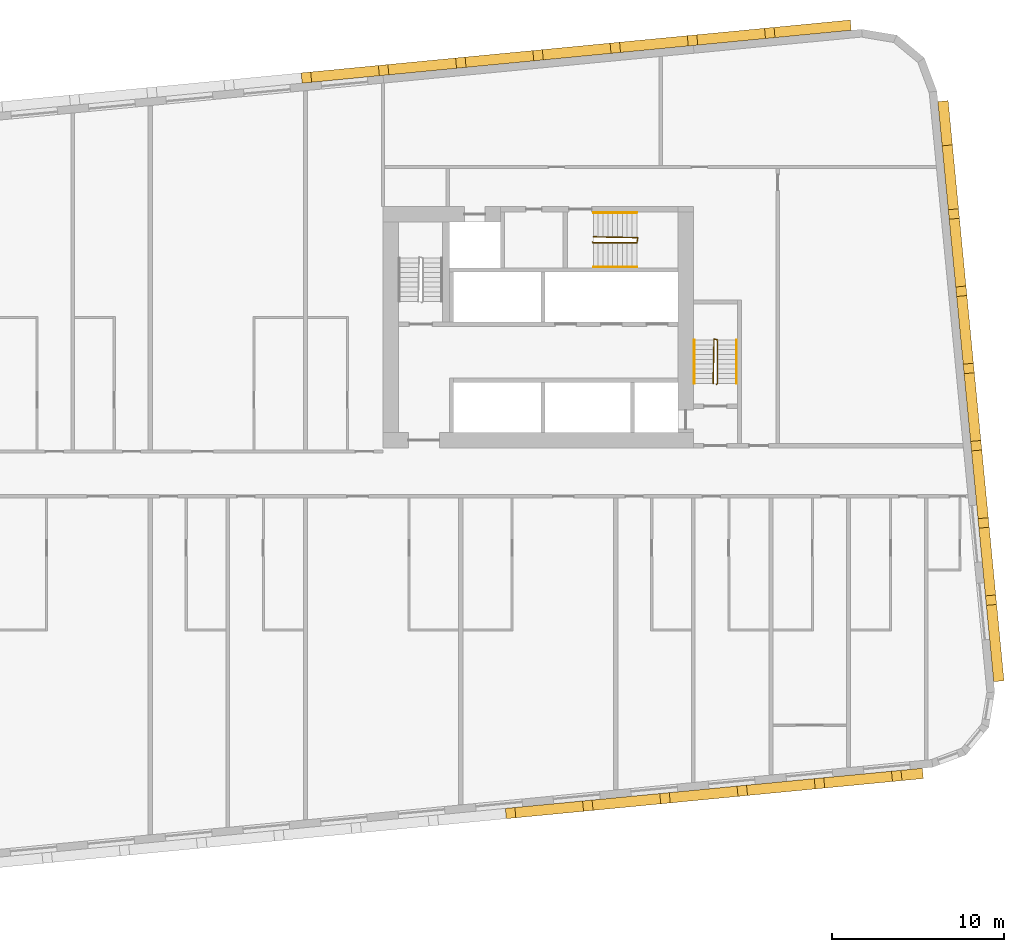
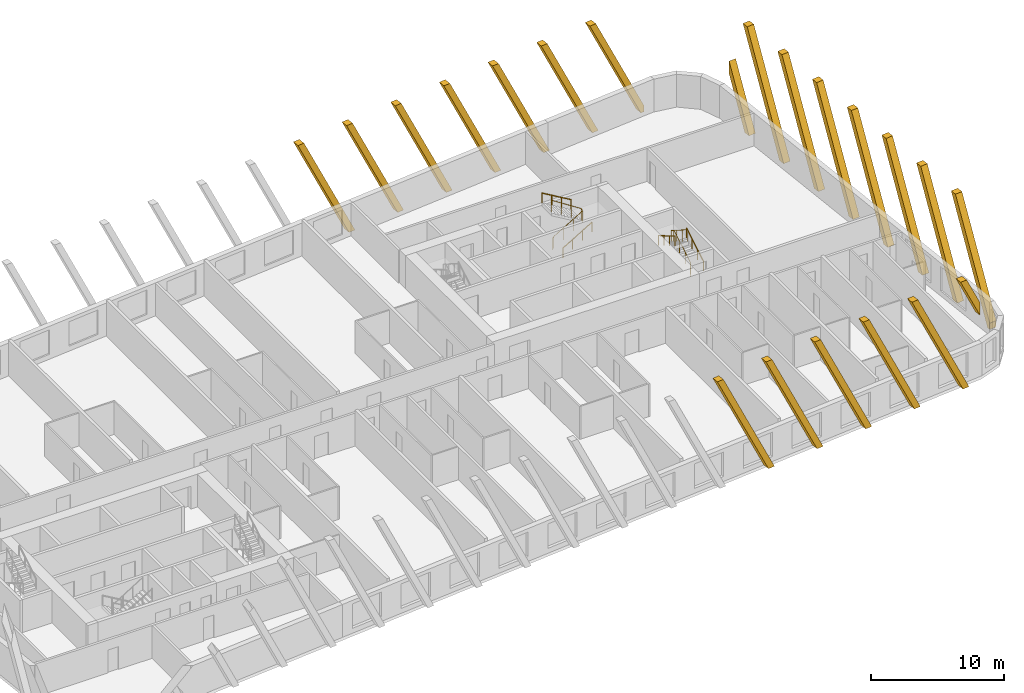
# One storey, part 13 of 13: 21 coverings, 6 railings.
"""IFC4 building model written with IfcOpenShell, lengths in metres."""

from ifc_helpers import new_model, si_unit, direction, frame, origin, origin_2d, place, context, subcontext, project, spatial, polyline, rectangle, circle, outline, extrude, material, material_profile, profile_set, type_object, element, save


model = new_model("IFC4")

# Units and contexts
model_context = context("Model", 3, precision=1e-05, world=origin(), true_north=direction((0.0, 1.0)))
body_context = subcontext(model_context, "Body", "Model", "MODEL_VIEW")
ifc_project = project(units=[si_unit("LENGTHUNIT", "METRE"), si_unit("AREAUNIT", "SQUARE_METRE"), si_unit("VOLUMEUNIT", "CUBIC_METRE"), si_unit("PLANEANGLEUNIT", "RADIAN"), si_unit("MASSUNIT", "GRAM", prefix="KILO")], contexts=[model_context])

# Site, building, storey
site_placement = place(None, origin())
site = spatial("IfcSite", under=ifc_project, at=site_placement, CompositionType="ELEMENT")
building_placement = place(site_placement, origin())
building = spatial("IfcBuilding", under=site, at=building_placement, Name="Kajstack Hotel Tower", CompositionType="ELEMENT")
storey_placement = place(building_placement, frame((0.0, 0.0, 130.60009765625)))
storey = spatial("IfcBuildingStorey", under=building, at=storey_placement, Name="L29", CompositionType="ELEMENT", Elevation=130.60009765625)

# Coverings
ifc_material_1 = material(Name="Terracotta", Category="masonry")
ifc_material_profile = material_profile(ifc_material_1, rectangle(XDim=0.60009765625, YDim=0.5, at=origin_2d()), Name="Terracotta-clad concrete baguette 500 x 600")
ifc_profile_set = profile_set([ifc_material_profile], Name="Terracotta")
covering_type = type_object("IfcCoveringType", Name="BAGUETTE 500x600", PredefinedType="CLADDING", material=ifc_profile_set)
for number, where, z_axis, x_axis, name in (
    (1, (20.594482421875, -19.401611328125, 0.0), (0.095634862357, -0.995416482233, 0.0), (0.995416482233, 0.095634862357, 0.0), "Baguette L29-04-050"),
    (2, (25.07373046875, -18.97021484375, 0.0), (0.095634862357, -0.995416482233, 0.0), (0.995416482233, 0.095634862357, 0.0), "Baguette L29-04-054"),
    (3, (29.552978515625, -18.5390625, 0.0), (0.095634862357, -0.995416482233, 0.0), (0.995416482233, 0.095634862357, 0.0), "Baguette L29-04-058"),
    (4, (34.0322265625, -18.107666015625, 0.0), (0.096038073607, -0.995377661201, 0.0), (0.995377661201, 0.096038073607, 0.0), "Baguette L29-04-062"),
):
    element("IfcCovering", number, at=place(storey_placement, frame(where, z_axis=z_axis, x_axis=x_axis)), inside=storey, type_object=covering_type, Name=name, PredefinedType="CLADDING", context=body_context, shape_type="SweptSolid", body=[
        extrude(outline(polyline([(0.0, 9.89990234375), (4.72216796875, 0.0), (5.276123046875, 0.0), (0.553955078125, 9.89990234375), (0.0, 9.89990234375)])), origin(), (0.0, 0.0, 1.0), 0.599853515625),
    ])
covering_1_placement = place(storey_placement, frame((38.511474609375, -17.67626953125, 0.0), z_axis=(0.095999188106, -0.995381412265, 0.0), x_axis=(0.995381412265, 0.095999188106, 0.0)))
element("IfcCovering", 5, at=covering_1_placement, inside=storey, type_object=covering_type, Name="Baguette L29-04-066", PredefinedType="CLADDING", context=body_context, shape_type="SweptSolid", body=[
    extrude(outline(polyline([(0.0, 9.89990234375), (4.72216796875, 0.0), (5.276123046875, 0.0), (0.553955078125, 9.89990234375), (0.0, 9.89990234375)])), origin(), (0.0, 0.0, 1.0), 0.60009765625),
])
covering_2_placement = place(storey_placement, frame((42.99072265625, -17.2451171875, 0.0), z_axis=(0.096038073607, -0.995377661201, 0.0), x_axis=(0.995377661201, 0.096038073607, 0.0)))
element("IfcCovering", 6, at=covering_2_placement, inside=storey, type_object=covering_type, Name="Baguette L29-04-070", PredefinedType="CLADDING", context=body_context, shape_type="SweptSolid", body=[
    extrude(outline(polyline([(0.0, 9.89990234375), (1.799072265625, 6.128173828125), (1.799072265625, 7.28955078125), (0.553955078125, 9.89990234375), (0.0, 9.89990234375)])), origin(), (0.0, 0.0, 1.0), 0.599853515625),
])
covering_3_placement = place(storey_placement, frame((48.91943359375, -12.052978515625, 0.0), z_axis=(0.995381412265, 0.095999188106, 0.0), x_axis=(-0.095999188106, 0.995381412265, 0.0)))
element("IfcCovering", 7, at=covering_3_placement, inside=storey, type_object=covering_type, Name="Baguette L29-08-002", PredefinedType="CLADDING", context=body_context, shape_type="SweptSolid", body=[
    extrude(outline(polyline([(4.445068359375, 9.89990234375), (0.0, 0.580810546875), (0.0, 0.0), (0.277099609375, 0.0), (4.9990234375, 9.89990234375), (4.445068359375, 9.89990234375)])), origin(), (0.0, 0.0, 1.0), 0.60009765625),
])
covering_4_placement = place(storey_placement, frame((48.5146484375, -7.849365234375, 0.0), z_axis=(0.995381412265, 0.095999188106, 0.0), x_axis=(-0.095999188106, 0.995381412265, 0.0)))
element("IfcCovering", 8, at=covering_4_placement, inside=storey, type_object=covering_type, Name="Baguette L29-08-006", PredefinedType="CLADDING", context=body_context, shape_type="SweptSolid", body=[
    extrude(outline(polyline([(4.72216796875, 9.89990234375), (0.0, 0.0), (0.553955078125, 0.0), (5.276123046875, 9.89990234375), (4.72216796875, 9.89990234375)])), origin(), (0.0, 0.0, 1.0), 0.60009765625),
])
for number, where, z_axis, x_axis, name in (
    (9, (48.08349609375, -3.369873046875, 0.0), (0.995416482233, 0.095634862357, 0.0), (-0.095634862357, 0.995416482233, 0.0), "Baguette L29-08-010"),
    (10, (47.652099609375, 1.109375, 0.0), (0.995416482233, 0.095634862357, 0.0), (-0.095634862357, 0.995416482233, 0.0), "Baguette L29-08-014"),
):
    element("IfcCovering", number, at=place(storey_placement, frame(where, z_axis=z_axis, x_axis=x_axis)), inside=storey, type_object=covering_type, Name=name, PredefinedType="CLADDING", context=body_context, shape_type="SweptSolid", body=[
        extrude(outline(polyline([(4.72216796875, 9.89990234375), (0.0, 0.0), (0.553955078125, 0.0), (5.276123046875, 9.89990234375), (4.72216796875, 9.89990234375)])), origin(), (0.0, 0.0, 1.0), 0.599853515625),
    ])
covering_5_placement = place(storey_placement, frame((47.220703125, 5.588623046875, 0.0), z_axis=(0.995420202011, 0.095596137095, 0.0), x_axis=(-0.095596137095, 0.995420202011, 0.0)))
element("IfcCovering", 11, at=covering_5_placement, inside=storey, type_object=covering_type, Name="Baguette L29-08-018", PredefinedType="CLADDING", context=body_context, shape_type="SweptSolid", body=[
    extrude(outline(polyline([(4.72216796875, 9.89990234375), (0.0, 0.0), (0.553955078125, 0.0), (5.276123046875, 9.89990234375), (4.72216796875, 9.89990234375)])), origin(), (0.0, 0.0, 1.0), 0.60009765625),
])
for number, where, z_axis, x_axis, name in (
    (12, (46.78955078125, 10.06787109375, 0.0), (0.995377661201, 0.096038073607, 0.0), (-0.096038073607, 0.995377661201, 0.0), "Baguette L29-08-022"),
    (13, (46.358154296875, 14.547119140625, 0.0), (0.995377661201, 0.096038073607, 0.0), (-0.096038073607, 0.995377661201, 0.0), "Baguette L29-08-026"),
):
    element("IfcCovering", number, at=place(storey_placement, frame(where, z_axis=z_axis, x_axis=x_axis)), inside=storey, type_object=covering_type, Name=name, PredefinedType="CLADDING", context=body_context, shape_type="SweptSolid", body=[
        extrude(outline(polyline([(4.72216796875, 9.89990234375), (0.0, 0.0), (0.553955078125, 0.0), (5.276123046875, 9.89990234375), (4.72216796875, 9.89990234375)])), origin(), (0.0, 0.0, 1.0), 0.599853515625),
    ])
covering_6_placement = place(storey_placement, frame((45.927001953125, 19.0263671875, 0.0), z_axis=(0.995377661201, 0.096038073607, 0.0), x_axis=(-0.096038073607, 0.995377661201, 0.0)))
element("IfcCovering", 14, at=covering_6_placement, inside=storey, type_object=covering_type, Name="Baguette L29-08-030", PredefinedType="CLADDING", context=body_context, shape_type="SweptSolid", body=[
    extrude(outline(polyline([(0.553955078125, 0.0), (2.576904296875, 4.2412109375), (2.576904296875, 5.402587890625), (0.0, 0.0), (0.553955078125, 0.0)])), origin(), (0.0, 0.0, 1.0), 0.599853515625),
])
covering_7_placement = place(storey_placement, frame((40.66015625, 25.7294921875, 0.0), z_axis=(-0.095634862357, 0.995416482233, 0.0), x_axis=(-0.995416482233, -0.095634862357, 0.0)))
element("IfcCovering", 15, at=covering_7_placement, inside=storey, type_object=covering_type, Name="Baguette L29-12-002", PredefinedType="CLADDING", context=body_context, shape_type="SweptSolid", body=[
    extrude(outline(polyline([(4.445068359375, 9.89990234375), (0.0, 0.580810546875), (0.0, 0.0), (0.277099609375, 0.0), (4.9990234375, 9.89990234375), (4.445068359375, 9.89990234375)])), origin(), (0.0, 0.0, 1.0), 0.599853515625),
])
for number, where, z_axis, x_axis, name in (
    (16, (36.456787109375, 25.32470703125, 0.0), (-0.096038073607, 0.995377661201, 0.0), (-0.995377661201, -0.096038073607, 0.0), "Baguette L29-12-006"),
    (17, (31.977294921875, 24.893310546875, 0.0), (-0.095634862357, 0.995416482233, 0.0), (-0.995416482233, -0.095634862357, 0.0), "Baguette L29-12-010"),
):
    element("IfcCovering", number, at=place(storey_placement, frame(where, z_axis=z_axis, x_axis=x_axis)), inside=storey, type_object=covering_type, Name=name, PredefinedType="CLADDING", context=body_context, shape_type="SweptSolid", body=[
        extrude(outline(polyline([(4.72216796875, 9.89990234375), (0.0, 0.0), (0.553955078125, 0.0), (5.276123046875, 9.89990234375), (4.72216796875, 9.89990234375)])), origin(), (0.0, 0.0, 1.0), 0.599853515625),
    ])
covering_8_placement = place(storey_placement, frame((27.498046875, 24.4619140625, 0.0), z_axis=(-0.095596137095, 0.995420202011, 0.0), x_axis=(-0.995420202011, -0.095596137095, 0.0)))
element("IfcCovering", 18, at=covering_8_placement, inside=storey, type_object=covering_type, Name="Baguette L29-12-014", PredefinedType="CLADDING", context=body_context, shape_type="SweptSolid", body=[
    extrude(outline(polyline([(4.72216796875, 9.89990234375), (0.0, 0.0), (0.553955078125, 0.0), (5.276123046875, 9.89990234375), (4.72216796875, 9.89990234375)])), origin(), (0.0, 0.0, 1.0), 0.60009765625),
])
for number, where, z_axis, x_axis, name in (
    (19, (23.018798828125, 24.03076171875, 0.0), (-0.095634862357, 0.995416482233, 0.0), (-0.995416482233, -0.095634862357, 0.0), "Baguette L29-12-018"),
    (20, (18.53955078125, 23.599365234375, 0.0), (-0.096038073607, 0.995377661201, 0.0), (-0.995377661201, -0.096038073607, 0.0), "Baguette L29-12-022"),
    (21, (14.060302734375, 23.168212890625, 0.0), (-0.096038073607, 0.995377661201, 0.0), (-0.995377661201, -0.096038073607, 0.0), "Baguette L29-12-026"),
):
    element("IfcCovering", number, at=place(storey_placement, frame(where, z_axis=z_axis, x_axis=x_axis)), inside=storey, type_object=covering_type, Name=name, PredefinedType="CLADDING", context=body_context, shape_type="SweptSolid", body=[
        extrude(outline(polyline([(4.72216796875, 9.89990234375), (0.0, 0.0), (0.553955078125, 0.0), (5.276123046875, 9.89990234375), (4.72216796875, 9.89990234375)])), origin(), (0.0, 0.0, 1.0), 0.599853515625),
    ])

# Railings
ifc_material_2 = material(Name="Steel S355J2", Category="steel")
railing_type_1 = type_object("IfcRailingType", Name="Stair guard 1100", PredefinedType="GUARDRAIL", material=ifc_material_2)
railing_1_placement = place(storey_placement, frame((32.85009765625, 5.199951171875, 0.0)))
element("IfcRailing", 22, at=railing_1_placement, inside=storey, type_object=railing_type_1, Name="L29 E1 stair guard 1", PredefinedType="GUARDRAIL", context=body_context, shape_type="SweptSolid", body=[
    extrude(circle(Radius=0.02392578125, at=origin_2d()), frame((0.0, 0.0, 1.076171875), z_axis=(0.277797701265, 0.279159454702, 0.919183570361), x_axis=(-0.708833529934, 0.705375805398, 0.0)), (0.0, 0.0, 1.0), 0.17919921875),
    extrude(circle(Radius=0.02392578125, at=origin_2d()), frame((0.0498046875, 0.050048828125, 1.24072265625), z_axis=(0.0, 0.86152411907, 0.507716645641), x_axis=(-1.0, 0.0, 0.0)), (0.0, 0.0, 1.0), 2.925048828125),
    extrude(circle(Radius=0.02392578125, at=origin_2d()), frame((0.0498046875, 2.570068359375, 2.72607421875), z_axis=(-0.970072785993, 0.242814311512, 0.0), x_axis=(-0.242814311512, -0.970072785993, 0.0)), (0.0, 0.0, 1.0), 0.2060546875),
    extrude(circle(Radius=0.02392578125, at=origin_2d()), frame((-0.150146484375, 2.6201171875, 2.72607421875), z_axis=(-0.016385308676, -0.841405582595, 0.540155687962), x_axis=(0.999810440751, -0.019470042781, 0.0)), (0.0, 0.0, 1.0), 3.054443359375),
    extrude(circle(Radius=0.02099609375, at=origin_2d()), origin(), (0.0, 0.0, 1.0), 1.052001953125),
    extrude(circle(Radius=0.02099609375, at=origin_2d()), frame((0.0498046875, 0.050048828125, 0.164794921875)), (0.0, 0.0, 1.0), 1.052001953125),
    extrude(circle(Radius=0.02099609375, at=origin_2d()), frame((0.0498046875, 0.89013671875, 0.659912109375)), (0.0, 0.0, 1.0), 1.052001953125),
    extrude(circle(Radius=0.02099609375, at=origin_2d()), frame((0.0498046875, 1.72998046875, 1.15478515625)), (0.0, 0.0, 1.0), 1.052001953125),
    extrude(circle(Radius=0.02099609375, at=origin_2d()), frame((0.0498046875, 2.570068359375, 1.64990234375)), (0.0, 0.0, 1.0), 1.052001953125),
    extrude(circle(Radius=0.02099609375, at=origin_2d()), frame((-0.150146484375, 2.6201171875, 1.64990234375)), (0.0, 0.0, 1.0), 1.052001953125),
    extrude(circle(Radius=0.02099609375, at=origin_2d()), frame((-0.166748046875, 1.763427734375, 2.199951171875)), (0.0, 0.0, 1.0), 1.052001953125),
    extrude(circle(Radius=0.02099609375, at=origin_2d()), frame((-0.18359375, 0.90673828125, 2.749755859375)), (0.0, 0.0, 1.0), 1.052001953125),
    extrude(circle(Radius=0.02099609375, at=origin_2d()), frame((-0.2001953125, 0.050048828125, 3.2998046875)), (0.0, 0.0, 1.0), 1.052001953125),
])
railing_2_placement = place(storey_placement, frame((25.64990234375, 13.449951171875, 0.0)))
element("IfcRailing", 23, at=railing_2_placement, inside=storey, type_object=railing_type_1, Name="L29 E3 stair guard 1", PredefinedType="GUARDRAIL", context=body_context, shape_type="SweptSolid", body=[
    extrude(circle(Radius=0.02392578125, at=origin_2d()), frame((0.0, 0.0, 1.076171875), z_axis=(0.279053652268, -0.279053652268, 0.918835196492), x_axis=(0.707106781187, 0.707106781187, 0.0)), (0.0, 0.0, 1.0), 0.179443359375),
    extrude(circle(Radius=0.02392578125, at=origin_2d()), frame((0.050048828125, -0.050048828125, 1.24072265625), z_axis=(0.86152411907, 0.0, 0.507716645641), x_axis=(0.0, 1.0, 0.0)), (0.0, 0.0, 1.0), 2.925048828125),
    extrude(circle(Radius=0.02392578125, at=origin_2d()), frame((2.570068359375, -0.050048828125, 2.72607421875), z_axis=(0.164529134168, 0.986372223864, 0.0), x_axis=(-0.986372223864, 0.164529134168, 0.0)), (0.0, 0.0, 1.0), 0.30419921875),
    extrude(circle(Radius=0.02392578125, at=origin_2d()), frame((2.6201171875, 0.25, 2.72607421875), z_axis=(-0.841405582595, 0.016385308676, 0.540155687962), x_axis=(-0.019470042781, -0.999810440751, 0.0)), (0.0, 0.0, 1.0), 3.054443359375),
    extrude(circle(Radius=0.02099609375, at=origin_2d()), origin(), (0.0, 0.0, 1.0), 1.052001953125),
    extrude(circle(Radius=0.02099609375, at=origin_2d()), frame((0.050048828125, -0.050048828125, 0.164794921875)), (0.0, 0.0, 1.0), 1.052001953125),
    extrude(circle(Radius=0.02099609375, at=origin_2d()), frame((0.89013671875, -0.050048828125, 0.659912109375)), (0.0, 0.0, 1.0), 1.052001953125),
    extrude(circle(Radius=0.02099609375, at=origin_2d()), frame((1.72998046875, -0.050048828125, 1.15478515625)), (0.0, 0.0, 1.0), 1.052001953125),
    extrude(circle(Radius=0.02099609375, at=origin_2d()), frame((2.570068359375, -0.050048828125, 1.64990234375)), (0.0, 0.0, 1.0), 1.052001953125),
    extrude(circle(Radius=0.02099609375, at=origin_2d()), frame((2.6201171875, 0.25, 1.64990234375)), (0.0, 0.0, 1.0), 1.052001953125),
    extrude(circle(Radius=0.02099609375, at=origin_2d()), frame((1.763427734375, 0.2666015625, 2.199951171875)), (0.0, 0.0, 1.0), 1.052001953125),
    extrude(circle(Radius=0.02099609375, at=origin_2d()), frame((0.90673828125, 0.283447265625, 2.749755859375)), (0.0, 0.0, 1.0), 1.052001953125),
    extrude(circle(Radius=0.02099609375, at=origin_2d()), frame((0.050048828125, 0.300048828125, 3.2998046875)), (0.0, 0.0, 1.0), 1.052001953125),
])
railing_type_2 = type_object("IfcRailingType", Name="Stair handrail 900", PredefinedType="HANDRAIL", material=ifc_material_2)
railing_3_placement = place(storey_placement, frame((34.0, 5.25, 0.164794921875)))
element("IfcRailing", 24, at=railing_3_placement, inside=storey, type_object=railing_type_2, Name="L29 E1 stair handrail 1", PredefinedType="HANDRAIL", context=body_context, shape_type="SweptSolid", body=[
    extrude(circle(Radius=0.02392578125, at=origin_2d()), frame((0.0, 0.0, 0.8759765625), z_axis=(0.0, 0.86152411907, 0.507716645641), x_axis=(-1.0, 0.0, 0.0)), (0.0, 0.0, 1.0), 2.925048828125),
    extrude(circle(Radius=0.02099609375, at=origin_2d()), origin(), (0.0, 0.0, 1.0), 0.851806640625),
    extrude(circle(Radius=0.02099609375, at=origin_2d()), frame((0.0, 0.840087890625, 0.4951171875)), (0.0, 0.0, 1.0), 0.851806640625),
    extrude(circle(Radius=0.02099609375, at=origin_2d()), frame((0.0, 1.679931640625, 0.989990234375)), (0.0, 0.0, 1.0), 0.851806640625),
    extrude(circle(Radius=0.02099609375, at=origin_2d()), frame((0.0, 2.52001953125, 1.485107421875)), (0.0, 0.0, 1.0), 0.851806640625),
])
railing_4_placement = place(storey_placement, frame((31.550048828125, 7.77001953125, 1.81494140625)))
element("IfcRailing", 25, at=railing_4_placement, inside=storey, type_object=railing_type_2, Name="L29 E1 stair handrail 2", PredefinedType="HANDRAIL", context=body_context, shape_type="SweptSolid", body=[
    extrude(circle(Radius=0.02392578125, at=origin_2d()), frame((0.0, 0.0, 0.8759765625), z_axis=(0.0, -0.861560626758, 0.507654692109), x_axis=(1.0, 0.0, 0.0)), (0.0, 0.0, 1.0), 2.925048828125),
    extrude(circle(Radius=0.02099609375, at=origin_2d()), origin(), (0.0, 0.0, 1.0), 0.851806640625),
    extrude(circle(Radius=0.02099609375, at=origin_2d()), frame((0.0, -0.840087890625, 0.494873046875)), (0.0, 0.0, 1.0), 0.851806640625),
    extrude(circle(Radius=0.02099609375, at=origin_2d()), frame((0.0, -1.679931640625, 0.989990234375)), (0.0, 0.0, 1.0), 0.851806640625),
    extrude(circle(Radius=0.02099609375, at=origin_2d()), frame((0.0, -2.52001953125, 1.48486328125)), (0.0, 0.0, 1.0), 0.851806640625),
])
railing_5_placement = place(storey_placement, frame((25.699951171875, 12.0, 0.164794921875)))
element("IfcRailing", 26, at=railing_5_placement, inside=storey, type_object=railing_type_2, Name="L29 E3 stair handrail 1", PredefinedType="HANDRAIL", context=body_context, shape_type="SweptSolid", body=[
    extrude(circle(Radius=0.02392578125, at=origin_2d()), frame((0.0, 0.0, 0.8759765625), z_axis=(0.86152411907, 0.0, 0.507716645641), x_axis=(0.0, 1.0, 0.0)), (0.0, 0.0, 1.0), 2.925048828125),
    extrude(circle(Radius=0.02099609375, at=origin_2d()), origin(), (0.0, 0.0, 1.0), 0.851806640625),
    extrude(circle(Radius=0.02099609375, at=origin_2d()), frame((0.840087890625, 0.0, 0.4951171875)), (0.0, 0.0, 1.0), 0.851806640625),
    extrude(circle(Radius=0.02099609375, at=origin_2d()), frame((1.679931640625, 0.0, 0.989990234375)), (0.0, 0.0, 1.0), 0.851806640625),
    extrude(circle(Radius=0.02099609375, at=origin_2d()), frame((2.52001953125, 0.0, 1.485107421875)), (0.0, 0.0, 1.0), 0.851806640625),
])
railing_6_placement = place(storey_placement, frame((28.219970703125, 15.14990234375, 1.81494140625)))
element("IfcRailing", 27, at=railing_6_placement, inside=storey, type_object=railing_type_2, Name="L29 E3 stair handrail 2", PredefinedType="HANDRAIL", context=body_context, shape_type="SweptSolid", body=[
    extrude(circle(Radius=0.02392578125, at=origin_2d()), frame((0.0, 0.0, 0.8759765625), z_axis=(-0.861560626758, 0.0, 0.507654692109), x_axis=(0.0, -1.0, 0.0)), (0.0, 0.0, 1.0), 2.925048828125),
    extrude(circle(Radius=0.02099609375, at=origin_2d()), origin(), (0.0, 0.0, 1.0), 0.851806640625),
    extrude(circle(Radius=0.02099609375, at=origin_2d()), frame((-0.840087890625, 0.0, 0.494873046875)), (0.0, 0.0, 1.0), 0.851806640625),
    extrude(circle(Radius=0.02099609375, at=origin_2d()), frame((-1.679931640625, 0.0, 0.989990234375)), (0.0, 0.0, 1.0), 0.851806640625),
    extrude(circle(Radius=0.02099609375, at=origin_2d()), frame((-2.52001953125, 0.0, 1.48486328125)), (0.0, 0.0, 1.0), 0.851806640625),
])

save(model, "model.ifc")
